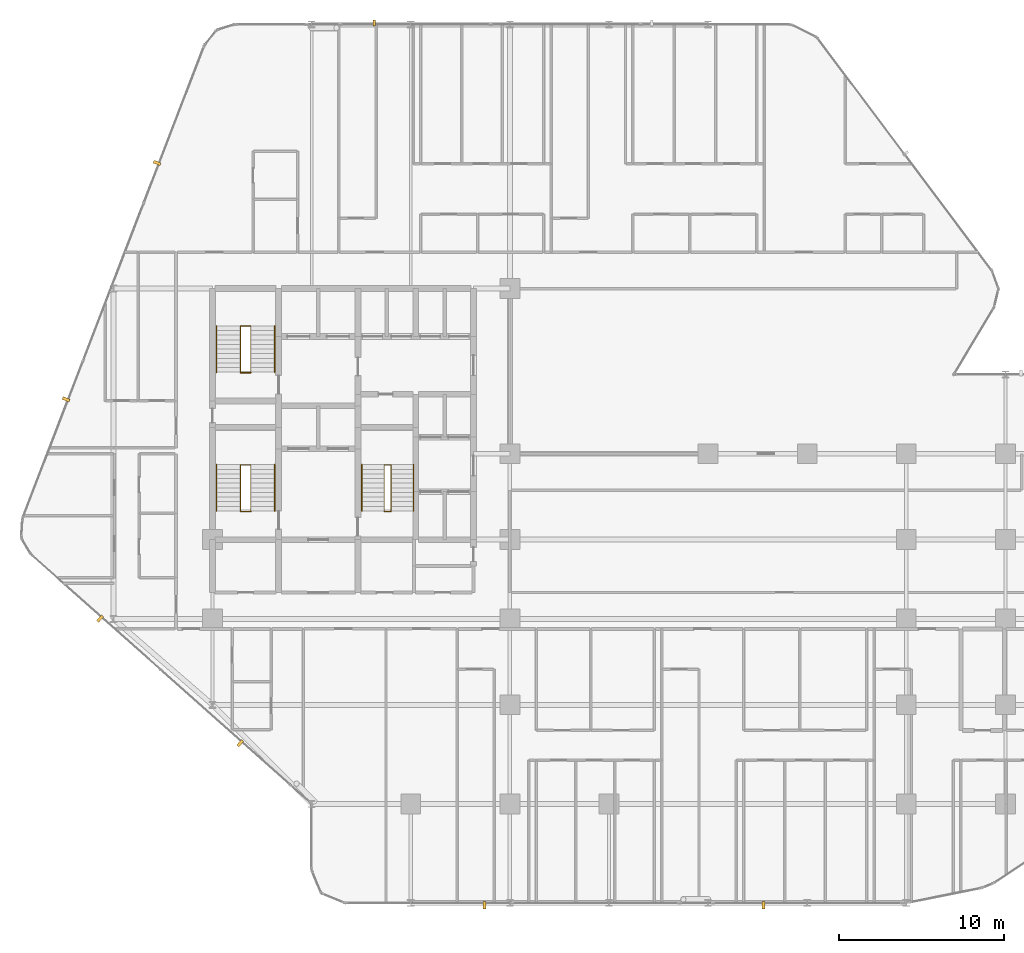
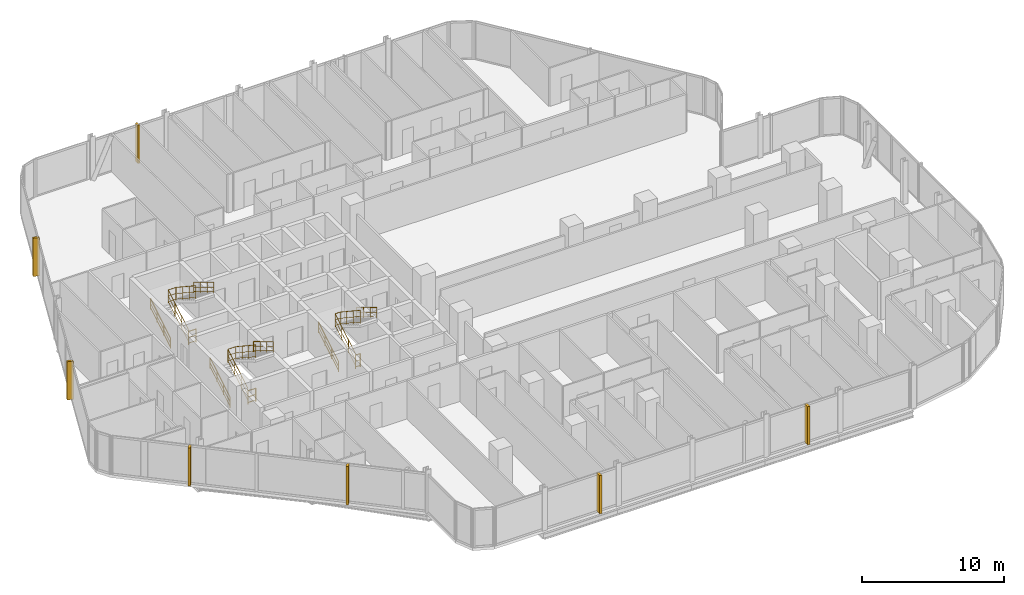
# One storey, part 33 of 34: 12 railings, 7 coverings.
"""IFC4 building model written with IfcOpenShell, lengths in metres."""

from ifc_helpers import new_model, si_unit, direction, frame, origin, origin_2d, place, context, subcontext, project, spatial, rectangle, circle, extrude, material, layer, layer_set, type_object, element, save


model = new_model("IFC4")

# Units and contexts
model_context = context("Model", 3, precision=1e-05, world=origin(), true_north=direction((0.0, 1.0)))
body_context = subcontext(model_context, "Body", "Model", "MODEL_VIEW")
ifc_project = project(units=[si_unit("LENGTHUNIT", "METRE"), si_unit("AREAUNIT", "SQUARE_METRE"), si_unit("VOLUMEUNIT", "CUBIC_METRE"), si_unit("PLANEANGLEUNIT", "RADIAN"), si_unit("MASSUNIT", "GRAM", prefix="KILO")], contexts=[model_context])

# Site, building, storey
site_placement = place(None, origin())
site = spatial("IfcSite", under=ifc_project, at=site_placement, CompositionType="ELEMENT")
building_placement = place(site_placement, origin())
building = spatial("IfcBuilding", under=site, at=building_placement, Name="Keshet Zoharim Tower", CompositionType="ELEMENT")
storey_placement = place(building_placement, frame((0.0, 0.0, 77.5)))
storey = spatial("IfcBuildingStorey", under=building, at=storey_placement, Name="L18", CompositionType="ELEMENT", Elevation=77.5)

# Coverings
ifc_material_1 = material(Name="Concrete C50/60 precast", Category="concrete")
covering_type_1 = type_object("IfcCoveringType", Name="FIN-SOL-360", PredefinedType="CLADDING", material=ifc_material_1)
covering_placement = place(storey_placement, frame((24.780029296875, 53.97998046875, 0.0), z_axis=(0.0, 0.0, 1.0), x_axis=(1.0, 0.0, 0.0)))
element("IfcCovering", 1, at=covering_placement, inside=storey, type_object=covering_type_1, Name="L18 Vertical Precast Solar Fin 05", PredefinedType="CLADDING", context=body_context, shape_type="SweptSolid", body=[
    extrude(rectangle(XDim=0.159912109375, YDim=0.360107421875, at=origin_2d()), origin(), (0.0, 0.0, 1.0), 3.280029296875),
])
covering_type_2 = type_object("IfcCoveringType", Name="FIN-SOL-450", PredefinedType="CLADDING", material=ifc_material_1)
for number, where, z_axis, x_axis, name in (
    (2, (16.676025390625, 10.376953125, 0.0), (0.0, 0.0, 1.0), (-0.747409318679, 0.664363838836, 0.0), "L18 Vertical Precast Solar Fin 01"),
    (3, (8.193115234375, 17.9169921875, 0.0), (0.0, 0.0, 1.0), (-0.747409318679, 0.664363838836, 0.0), "L18 Vertical Precast Solar Fin 02"),
    (4, (6.133056640625, 31.194091796875, 0.0), (0.0, 0.0, 1.0), (0.358990003907, 0.933341404361, 0.0), "L18 Vertical Precast Solar Fin 03"),
    (5, (11.637939453125, 45.507080078125, 0.0), (0.0, 0.0, 1.0), (0.358990003907, 0.933341404361, 0.0), "L18 Vertical Precast Solar Fin 04"),
    (6, (48.35205078125, 0.574951171875, 0.0), (0.0, 0.0, 1.0), (-1.0, 0.0, 0.0), "L18 Vertical Precast Solar Fin 10"),
    (7, (31.450927734375, 0.574951171875, 0.0), (0.0, 0.0, 1.0), (-1.0, 0.0, 0.0), "L18 Vertical Precast Solar Fin 11"),
):
    element("IfcCovering", number, at=place(storey_placement, frame(where, z_axis=z_axis, x_axis=x_axis)), inside=storey, type_object=covering_type_2, Name=name, PredefinedType="CLADDING", context=body_context, shape_type="SweptSolid", body=[
        extrude(rectangle(XDim=0.179931640625, YDim=0.449951171875, at=origin_2d()), origin(), (0.0, 0.0, 1.0), 3.280029296875),
    ])

# Railings
ifc_material_2 = material(Name="Steel S355", Category="steel")
ifc_layer_1 = layer(ifc_material_2, 0.050048828125)
ifc_layer_set_1 = layer_set([ifc_layer_1], Name="Steel S355")
railing_type_1 = type_object("IfcRailingType", Name="RL-HND-092", PredefinedType="HANDRAIL", material=ifc_layer_set_1)
railing_1_placement = place(storey_placement, frame((15.239990234375, 24.43994140625, 0.168212890625)))
element("IfcRailing", 8, at=railing_1_placement, inside=storey, type_object=railing_type_1, Name="L18 ST-01 Flight 1 Wall Handrail", PredefinedType="HANDRAIL", context=body_context, shape_type="SweptSolid", body=[
    extrude(circle(Radius=0.02392578125, at=origin_2d()), frame((0.0, 0.0, 0.89599609375), z_axis=(0.0, 0.857242210791, 0.514913383045), x_axis=(-1.0, 0.0, 0.0)), (0.0, 0.0, 1.0), 3.266357421875),
    extrude(circle(Radius=0.01611328125, at=origin_2d()), frame((0.0, 0.0, 0.478271484375), z_axis=(0.0, 0.857242210791, 0.514913383045), x_axis=(-1.0, 0.0, 0.0)), (0.0, 0.0, 1.0), 3.266357421875),
    extrude(circle(Radius=0.01611328125, at=origin_2d()), frame((0.0, 0.0, 0.1201171875), z_axis=(0.0, 0.857242210791, 0.514913383045), x_axis=(-1.0, 0.0, 0.0)), (0.0, 0.0, 1.0), 3.266357421875),
    extrude(circle(Radius=0.02099609375, at=origin_2d()), origin(), (0.0, 0.0, 1.0), 0.871826171875),
    extrude(circle(Radius=0.02099609375, at=origin_2d()), frame((0.0, 0.933349609375, 0.560546875)), (0.0, 0.0, 1.0), 0.871826171875),
    extrude(circle(Radius=0.02099609375, at=origin_2d()), frame((0.0, 1.86669921875, 1.121337890625)), (0.0, 0.0, 1.0), 0.871826171875),
    extrude(circle(Radius=0.02099609375, at=origin_2d()), frame((0.0, 2.800048828125, 1.681884765625)), (0.0, 0.0, 1.0), 0.871826171875),
])
railing_2_placement = place(storey_placement, frame((18.760009765625, 27.239990234375, 2.018310546875)))
element("IfcRailing", 9, at=railing_2_placement, inside=storey, type_object=railing_type_1, Name="L18 ST-01 Flight 2 Wall Handrail", PredefinedType="HANDRAIL", context=body_context, shape_type="SweptSolid", body=[
    extrude(circle(Radius=0.02392578125, at=origin_2d()), frame((0.0, 0.0, 0.89599609375), z_axis=(0.0, -0.857275202839, 0.514858452973), x_axis=(1.0, 0.0, 0.0)), (0.0, 0.0, 1.0), 3.26611328125),
    extrude(circle(Radius=0.01611328125, at=origin_2d()), frame((0.0, 0.0, 0.478271484375), z_axis=(0.0, -0.857275202839, 0.514858452973), x_axis=(1.0, 0.0, 0.0)), (0.0, 0.0, 1.0), 3.26611328125),
    extrude(circle(Radius=0.01611328125, at=origin_2d()), frame((0.0, 0.0, 0.1201171875), z_axis=(0.0, -0.857275202839, 0.514858452973), x_axis=(1.0, 0.0, 0.0)), (0.0, 0.0, 1.0), 3.26611328125),
    extrude(circle(Radius=0.02099609375, at=origin_2d()), origin(), (0.0, 0.0, 1.0), 0.871826171875),
    extrude(circle(Radius=0.02099609375, at=origin_2d()), frame((0.0, -0.933349609375, 0.560546875)), (0.0, 0.0, 1.0), 0.871826171875),
    extrude(circle(Radius=0.02099609375, at=origin_2d()), frame((0.0, -1.86669921875, 1.12109375)), (0.0, 0.0, 1.0), 0.871826171875),
    extrude(circle(Radius=0.02099609375, at=origin_2d()), frame((0.0, -2.800048828125, 1.681640625)), (0.0, 0.0, 1.0), 0.871826171875),
])
railing_3_placement = place(storey_placement, frame((15.239990234375, 32.840087890625, 0.168212890625)))
element("IfcRailing", 10, at=railing_3_placement, inside=storey, type_object=railing_type_1, Name="L18 ST-02 Flight 1 Wall Handrail", PredefinedType="HANDRAIL", context=body_context, shape_type="SweptSolid", body=[
    extrude(circle(Radius=0.02392578125, at=origin_2d()), frame((0.0, 0.0, 0.89599609375), z_axis=(0.0, 0.857222391501, 0.514946377315), x_axis=(-1.0, 0.0, 0.0)), (0.0, 0.0, 1.0), 3.26611328125),
    extrude(circle(Radius=0.01611328125, at=origin_2d()), frame((0.0, 0.0, 0.478271484375), z_axis=(0.0, 0.857222391501, 0.514946377315), x_axis=(-1.0, 0.0, 0.0)), (0.0, 0.0, 1.0), 3.26611328125),
    extrude(circle(Radius=0.01611328125, at=origin_2d()), frame((0.0, 0.0, 0.1201171875), z_axis=(0.0, 0.857222391501, 0.514946377315), x_axis=(-1.0, 0.0, 0.0)), (0.0, 0.0, 1.0), 3.26611328125),
    extrude(circle(Radius=0.02099609375, at=origin_2d()), origin(), (0.0, 0.0, 1.0), 0.871826171875),
    extrude(circle(Radius=0.02099609375, at=origin_2d()), frame((0.0, 0.933349609375, 0.560546875)), (0.0, 0.0, 1.0), 0.871826171875),
    extrude(circle(Radius=0.02099609375, at=origin_2d()), frame((0.0, 1.866455078125, 1.121337890625)), (0.0, 0.0, 1.0), 0.871826171875),
    extrude(circle(Radius=0.02099609375, at=origin_2d()), frame((0.0, 2.7998046875, 1.681884765625)), (0.0, 0.0, 1.0), 0.871826171875),
])
railing_4_placement = place(storey_placement, frame((18.760009765625, 35.639892578125, 2.018310546875)))
element("IfcRailing", 11, at=railing_4_placement, inside=storey, type_object=railing_type_1, Name="L18 ST-02 Flight 2 Wall Handrail", PredefinedType="HANDRAIL", context=body_context, shape_type="SweptSolid", body=[
    extrude(circle(Radius=0.02392578125, at=origin_2d()), frame((0.0, 0.0, 0.89599609375), z_axis=(0.0, -0.857255387014, 0.514891446264), x_axis=(1.0, 0.0, 0.0)), (0.0, 0.0, 1.0), 3.26611328125),
    extrude(circle(Radius=0.01611328125, at=origin_2d()), frame((0.0, 0.0, 0.478271484375), z_axis=(0.0, -0.857255387014, 0.514891446264), x_axis=(1.0, 0.0, 0.0)), (0.0, 0.0, 1.0), 3.26611328125),
    extrude(circle(Radius=0.01611328125, at=origin_2d()), frame((0.0, 0.0, 0.1201171875), z_axis=(0.0, -0.857255387014, 0.514891446264), x_axis=(1.0, 0.0, 0.0)), (0.0, 0.0, 1.0), 3.26611328125),
    extrude(circle(Radius=0.02099609375, at=origin_2d()), origin(), (0.0, 0.0, 1.0), 0.871826171875),
    extrude(circle(Radius=0.02099609375, at=origin_2d()), frame((0.0, -0.933349609375, 0.560546875)), (0.0, 0.0, 1.0), 0.871826171875),
    extrude(circle(Radius=0.02099609375, at=origin_2d()), frame((0.0, -1.866455078125, 1.12109375)), (0.0, 0.0, 1.0), 0.871826171875),
    extrude(circle(Radius=0.02099609375, at=origin_2d()), frame((0.0, -2.7998046875, 1.681640625)), (0.0, 0.0, 1.0), 0.871826171875),
])
railing_5_placement = place(storey_placement, frame((24.0400390625, 24.43994140625, 0.168212890625)))
element("IfcRailing", 12, at=railing_5_placement, inside=storey, type_object=railing_type_1, Name="L18 ST-03 Flight 1 Wall Handrail", PredefinedType="HANDRAIL", context=body_context, shape_type="SweptSolid", body=[
    extrude(circle(Radius=0.02392578125, at=origin_2d()), frame((0.0, 0.0, 0.89599609375), z_axis=(0.0, 0.857242210791, 0.514913383045), x_axis=(-1.0, 0.0, 0.0)), (0.0, 0.0, 1.0), 3.266357421875),
    extrude(circle(Radius=0.01611328125, at=origin_2d()), frame((0.0, 0.0, 0.478271484375), z_axis=(0.0, 0.857242210791, 0.514913383045), x_axis=(-1.0, 0.0, 0.0)), (0.0, 0.0, 1.0), 3.266357421875),
    extrude(circle(Radius=0.01611328125, at=origin_2d()), frame((0.0, 0.0, 0.1201171875), z_axis=(0.0, 0.857242210791, 0.514913383045), x_axis=(-1.0, 0.0, 0.0)), (0.0, 0.0, 1.0), 3.266357421875),
    extrude(circle(Radius=0.02099609375, at=origin_2d()), origin(), (0.0, 0.0, 1.0), 0.871826171875),
    extrude(circle(Radius=0.02099609375, at=origin_2d()), frame((0.0, 0.933349609375, 0.560546875)), (0.0, 0.0, 1.0), 0.871826171875),
    extrude(circle(Radius=0.02099609375, at=origin_2d()), frame((0.0, 1.86669921875, 1.121337890625)), (0.0, 0.0, 1.0), 0.871826171875),
    extrude(circle(Radius=0.02099609375, at=origin_2d()), frame((0.0, 2.800048828125, 1.681884765625)), (0.0, 0.0, 1.0), 0.871826171875),
])
railing_6_placement = place(storey_placement, frame((27.159912109375, 27.239990234375, 2.018310546875)))
element("IfcRailing", 13, at=railing_6_placement, inside=storey, type_object=railing_type_1, Name="L18 ST-03 Flight 2 Wall Handrail", PredefinedType="HANDRAIL", context=body_context, shape_type="SweptSolid", body=[
    extrude(circle(Radius=0.02392578125, at=origin_2d()), frame((0.0, 0.0, 0.89599609375), z_axis=(0.0, -0.857275202839, 0.514858452973), x_axis=(1.0, 0.0, 0.0)), (0.0, 0.0, 1.0), 3.26611328125),
    extrude(circle(Radius=0.01611328125, at=origin_2d()), frame((0.0, 0.0, 0.478271484375), z_axis=(0.0, -0.857275202839, 0.514858452973), x_axis=(1.0, 0.0, 0.0)), (0.0, 0.0, 1.0), 3.26611328125),
    extrude(circle(Radius=0.01611328125, at=origin_2d()), frame((0.0, 0.0, 0.1201171875), z_axis=(0.0, -0.857275202839, 0.514858452973), x_axis=(1.0, 0.0, 0.0)), (0.0, 0.0, 1.0), 3.26611328125),
    extrude(circle(Radius=0.02099609375, at=origin_2d()), origin(), (0.0, 0.0, 1.0), 0.871826171875),
    extrude(circle(Radius=0.02099609375, at=origin_2d()), frame((0.0, -0.933349609375, 0.560546875)), (0.0, 0.0, 1.0), 0.871826171875),
    extrude(circle(Radius=0.02099609375, at=origin_2d()), frame((0.0, -1.86669921875, 1.12109375)), (0.0, 0.0, 1.0), 0.871826171875),
    extrude(circle(Radius=0.02099609375, at=origin_2d()), frame((0.0, -2.800048828125, 1.681640625)), (0.0, 0.0, 1.0), 0.871826171875),
])
ifc_layer_2 = layer(ifc_material_2, 0.06005859375)
ifc_layer_set_2 = layer_set([ifc_layer_2], Name="Steel S355")
railing_type_2 = type_object("IfcRailingType", Name="RL-STG-115", PredefinedType="GUARDRAIL", material=ifc_layer_set_2)
railing_7_placement = place(storey_placement, frame((16.68994140625, 24.43994140625, 0.168212890625)))
element("IfcRailing", 14, at=railing_7_placement, inside=storey, type_object=railing_type_2, Name="L18 ST-01 Inner Well Guardrail", PredefinedType="GUARDRAIL", context=body_context, shape_type="SweptSolid", body=[
    extrude(circle(Radius=0.02392578125, at=origin_2d()), frame((0.0, 0.0, 1.1259765625), z_axis=(0.0, 0.857242210791, 0.514913383045), x_axis=(-1.0, 0.0, 0.0)), (0.0, 0.0, 1.0), 3.266357421875),
    extrude(circle(Radius=0.01611328125, at=origin_2d()), frame((0.0, 0.0, 0.597900390625), z_axis=(0.0, 0.857242210791, 0.514913383045), x_axis=(-1.0, 0.0, 0.0)), (0.0, 0.0, 1.0), 3.266357421875),
    extrude(circle(Radius=0.01611328125, at=origin_2d()), frame((0.0, 0.0, 0.1201171875), z_axis=(0.0, 0.857242210791, 0.514913383045), x_axis=(-1.0, 0.0, 0.0)), (0.0, 0.0, 1.0), 3.266357421875),
    extrude(circle(Radius=0.02392578125, at=origin_2d()), frame((0.0, 2.800048828125, 2.8076171875), z_axis=(1.0, 0.0, 0.0), x_axis=(0.0, 1.0, 0.0)), (0.0, 0.0, 1.0), 0.6201171875),
    extrude(circle(Radius=0.01611328125, at=origin_2d()), frame((0.0, 2.800048828125, 2.27978515625), z_axis=(1.0, 0.0, 0.0), x_axis=(0.0, 1.0, 0.0)), (0.0, 0.0, 1.0), 0.6201171875),
    extrude(circle(Radius=0.01611328125, at=origin_2d()), frame((0.0, 2.800048828125, 1.802001953125), z_axis=(1.0, 0.0, 0.0), x_axis=(0.0, 1.0, 0.0)), (0.0, 0.0, 1.0), 0.6201171875),
    extrude(circle(Radius=0.02392578125, at=origin_2d()), frame((0.6201171875, 2.800048828125, 2.8076171875), z_axis=(0.0, -0.83435981716, 0.551220187865), x_axis=(1.0, 0.0, 0.0)), (0.0, 0.0, 1.0), 3.35595703125),
    extrude(circle(Radius=0.01611328125, at=origin_2d()), frame((0.6201171875, 2.800048828125, 2.27978515625), z_axis=(0.0, -0.83435981716, 0.551220187865), x_axis=(1.0, 0.0, 0.0)), (0.0, 0.0, 1.0), 3.35595703125),
    extrude(circle(Radius=0.01611328125, at=origin_2d()), frame((0.6201171875, 2.800048828125, 1.802001953125), z_axis=(0.0, -0.83435981716, 0.551220187865), x_axis=(1.0, 0.0, 0.0)), (0.0, 0.0, 1.0), 3.35595703125),
    extrude(circle(Radius=0.02099609375, at=origin_2d()), origin(), (0.0, 0.0, 1.0), 1.101806640625),
    extrude(circle(Radius=0.02099609375, at=origin_2d()), frame((0.0, 0.933349609375, 0.560546875)), (0.0, 0.0, 1.0), 1.101806640625),
    extrude(circle(Radius=0.02099609375, at=origin_2d()), frame((0.0, 1.86669921875, 1.121337890625)), (0.0, 0.0, 1.0), 1.101806640625),
    extrude(circle(Radius=0.02099609375, at=origin_2d()), frame((0.0, 2.800048828125, 1.681884765625)), (0.0, 0.0, 1.0), 1.101806640625),
    extrude(circle(Radius=0.02099609375, at=origin_2d()), frame((0.6201171875, 2.800048828125, 1.681884765625)), (0.0, 0.0, 1.0), 1.101806640625),
    extrude(circle(Radius=0.02099609375, at=origin_2d()), frame((0.6201171875, 1.86669921875, 2.298583984375)), (0.0, 0.0, 1.0), 1.101806640625),
    extrude(circle(Radius=0.02099609375, at=origin_2d()), frame((0.6201171875, 0.933349609375, 2.9150390625)), (0.0, 0.0, 1.0), 1.101806640625),
    extrude(circle(Radius=0.02099609375, at=origin_2d()), frame((0.6201171875, 0.0, 3.53173828125)), (0.0, 0.0, 1.0), 1.101806640625),
])
railing_8_placement = place(storey_placement, frame((16.68994140625, 24.409912109375, 0.0)))
element("IfcRailing", 15, at=railing_8_placement, inside=storey, type_object=railing_type_2, Name="L18 ST-01 Stairwell Floor Guardrail", PredefinedType="GUARDRAIL", context=body_context, shape_type="SweptSolid", body=[
    extrude(circle(Radius=0.02392578125, at=origin_2d()), frame((0.0, 0.0, 1.1259765625), z_axis=(1.0, 0.0, 0.0), x_axis=(0.0, 1.0, 0.0)), (0.0, 0.0, 1.0), 0.6201171875),
    extrude(circle(Radius=0.01611328125, at=origin_2d()), frame((0.0, 0.0, 0.597900390625), z_axis=(1.0, 0.0, 0.0), x_axis=(0.0, 1.0, 0.0)), (0.0, 0.0, 1.0), 0.6201171875),
    extrude(circle(Radius=0.01611328125, at=origin_2d()), frame((0.0, 0.0, 0.1201171875), z_axis=(1.0, 0.0, 0.0), x_axis=(0.0, 1.0, 0.0)), (0.0, 0.0, 1.0), 0.6201171875),
    extrude(circle(Radius=0.02099609375, at=origin_2d()), origin(), (0.0, 0.0, 1.0), 1.101806640625),
    extrude(circle(Radius=0.02099609375, at=origin_2d()), frame((0.6201171875, 0.0, 0.0)), (0.0, 0.0, 1.0), 1.101806640625),
])
railing_9_placement = place(storey_placement, frame((16.68994140625, 32.840087890625, 0.168212890625)))
element("IfcRailing", 16, at=railing_9_placement, inside=storey, type_object=railing_type_2, Name="L18 ST-02 Inner Well Guardrail", PredefinedType="GUARDRAIL", context=body_context, shape_type="SweptSolid", body=[
    extrude(circle(Radius=0.02392578125, at=origin_2d()), frame((0.0, 0.0, 1.1259765625), z_axis=(0.0, 0.857222391501, 0.514946377315), x_axis=(-1.0, 0.0, 0.0)), (0.0, 0.0, 1.0), 3.26611328125),
    extrude(circle(Radius=0.01611328125, at=origin_2d()), frame((0.0, 0.0, 0.597900390625), z_axis=(0.0, 0.857222391501, 0.514946377315), x_axis=(-1.0, 0.0, 0.0)), (0.0, 0.0, 1.0), 3.26611328125),
    extrude(circle(Radius=0.01611328125, at=origin_2d()), frame((0.0, 0.0, 0.1201171875), z_axis=(0.0, 0.857222391501, 0.514946377315), x_axis=(-1.0, 0.0, 0.0)), (0.0, 0.0, 1.0), 3.26611328125),
    extrude(circle(Radius=0.02392578125, at=origin_2d()), frame((0.0, 2.7998046875, 2.8076171875), z_axis=(1.0, 0.0, 0.0), x_axis=(0.0, 1.0, 0.0)), (0.0, 0.0, 1.0), 0.6201171875),
    extrude(circle(Radius=0.01611328125, at=origin_2d()), frame((0.0, 2.7998046875, 2.27978515625), z_axis=(1.0, 0.0, 0.0), x_axis=(0.0, 1.0, 0.0)), (0.0, 0.0, 1.0), 0.6201171875),
    extrude(circle(Radius=0.01611328125, at=origin_2d()), frame((0.0, 2.7998046875, 1.802001953125), z_axis=(1.0, 0.0, 0.0), x_axis=(0.0, 1.0, 0.0)), (0.0, 0.0, 1.0), 0.6201171875),
    extrude(circle(Radius=0.02392578125, at=origin_2d()), frame((0.6201171875, 2.7998046875, 2.8076171875), z_axis=(0.0, -0.834337710781, 0.551253647941), x_axis=(1.0, 0.0, 0.0)), (0.0, 0.0, 1.0), 3.355712890625),
    extrude(circle(Radius=0.01611328125, at=origin_2d()), frame((0.6201171875, 2.7998046875, 2.27978515625), z_axis=(0.0, -0.834337710781, 0.551253647941), x_axis=(1.0, 0.0, 0.0)), (0.0, 0.0, 1.0), 3.355712890625),
    extrude(circle(Radius=0.01611328125, at=origin_2d()), frame((0.6201171875, 2.7998046875, 1.802001953125), z_axis=(0.0, -0.834337710781, 0.551253647941), x_axis=(1.0, 0.0, 0.0)), (0.0, 0.0, 1.0), 3.355712890625),
    extrude(circle(Radius=0.02099609375, at=origin_2d()), origin(), (0.0, 0.0, 1.0), 1.101806640625),
    extrude(circle(Radius=0.02099609375, at=origin_2d()), frame((0.0, 0.933349609375, 0.560546875)), (0.0, 0.0, 1.0), 1.101806640625),
    extrude(circle(Radius=0.02099609375, at=origin_2d()), frame((0.0, 1.866455078125, 1.121337890625)), (0.0, 0.0, 1.0), 1.101806640625),
    extrude(circle(Radius=0.02099609375, at=origin_2d()), frame((0.0, 2.7998046875, 1.681884765625)), (0.0, 0.0, 1.0), 1.101806640625),
    extrude(circle(Radius=0.02099609375, at=origin_2d()), frame((0.6201171875, 2.7998046875, 1.681884765625)), (0.0, 0.0, 1.0), 1.101806640625),
    extrude(circle(Radius=0.02099609375, at=origin_2d()), frame((0.6201171875, 1.866455078125, 2.298583984375)), (0.0, 0.0, 1.0), 1.101806640625),
    extrude(circle(Radius=0.02099609375, at=origin_2d()), frame((0.6201171875, 0.933349609375, 2.9150390625)), (0.0, 0.0, 1.0), 1.101806640625),
    extrude(circle(Radius=0.02099609375, at=origin_2d()), frame((0.6201171875, 0.0, 3.53173828125)), (0.0, 0.0, 1.0), 1.101806640625),
])
railing_10_placement = place(storey_placement, frame((16.68994140625, 32.81005859375, 0.0)))
element("IfcRailing", 17, at=railing_10_placement, inside=storey, type_object=railing_type_2, Name="L18 ST-02 Stairwell Floor Guardrail", PredefinedType="GUARDRAIL", context=body_context, shape_type="SweptSolid", body=[
    extrude(circle(Radius=0.02392578125, at=origin_2d()), frame((0.0, 0.0, 1.1259765625), z_axis=(1.0, 0.0, 0.0), x_axis=(0.0, 1.0, 0.0)), (0.0, 0.0, 1.0), 0.6201171875),
    extrude(circle(Radius=0.01611328125, at=origin_2d()), frame((0.0, 0.0, 0.597900390625), z_axis=(1.0, 0.0, 0.0), x_axis=(0.0, 1.0, 0.0)), (0.0, 0.0, 1.0), 0.6201171875),
    extrude(circle(Radius=0.01611328125, at=origin_2d()), frame((0.0, 0.0, 0.1201171875), z_axis=(1.0, 0.0, 0.0), x_axis=(0.0, 1.0, 0.0)), (0.0, 0.0, 1.0), 0.6201171875),
    extrude(circle(Radius=0.02099609375, at=origin_2d()), origin(), (0.0, 0.0, 1.0), 1.101806640625),
    extrude(circle(Radius=0.02099609375, at=origin_2d()), frame((0.6201171875, 0.0, 0.0)), (0.0, 0.0, 1.0), 1.101806640625),
])
railing_11_placement = place(storey_placement, frame((25.39990234375, 24.43994140625, 0.168212890625)))
element("IfcRailing", 18, at=railing_11_placement, inside=storey, type_object=railing_type_2, Name="L18 ST-03 Inner Well Guardrail", PredefinedType="GUARDRAIL", context=body_context, shape_type="SweptSolid", body=[
    extrude(circle(Radius=0.02392578125, at=origin_2d()), frame((0.0, 0.0, 1.1259765625), z_axis=(0.0, 0.857242210791, 0.514913383045), x_axis=(-1.0, 0.0, 0.0)), (0.0, 0.0, 1.0), 3.266357421875),
    extrude(circle(Radius=0.01611328125, at=origin_2d()), frame((0.0, 0.0, 0.597900390625), z_axis=(0.0, 0.857242210791, 0.514913383045), x_axis=(-1.0, 0.0, 0.0)), (0.0, 0.0, 1.0), 3.266357421875),
    extrude(circle(Radius=0.01611328125, at=origin_2d()), frame((0.0, 0.0, 0.1201171875), z_axis=(0.0, 0.857242210791, 0.514913383045), x_axis=(-1.0, 0.0, 0.0)), (0.0, 0.0, 1.0), 3.266357421875),
    extrude(circle(Radius=0.02392578125, at=origin_2d()), frame((0.0, 2.800048828125, 2.8076171875), z_axis=(1.0, 0.0, 0.0), x_axis=(0.0, 1.0, 0.0)), (0.0, 0.0, 1.0), 0.400146484375),
    extrude(circle(Radius=0.01611328125, at=origin_2d()), frame((0.0, 2.800048828125, 2.27978515625), z_axis=(1.0, 0.0, 0.0), x_axis=(0.0, 1.0, 0.0)), (0.0, 0.0, 1.0), 0.400146484375),
    extrude(circle(Radius=0.01611328125, at=origin_2d()), frame((0.0, 2.800048828125, 1.802001953125), z_axis=(1.0, 0.0, 0.0), x_axis=(0.0, 1.0, 0.0)), (0.0, 0.0, 1.0), 0.400146484375),
    extrude(circle(Radius=0.02392578125, at=origin_2d()), frame((0.400146484375, 2.800048828125, 2.8076171875), z_axis=(0.0, -0.83435981716, 0.551220187865), x_axis=(1.0, 0.0, 0.0)), (0.0, 0.0, 1.0), 3.35595703125),
    extrude(circle(Radius=0.01611328125, at=origin_2d()), frame((0.400146484375, 2.800048828125, 2.27978515625), z_axis=(0.0, -0.83435981716, 0.551220187865), x_axis=(1.0, 0.0, 0.0)), (0.0, 0.0, 1.0), 3.35595703125),
    extrude(circle(Radius=0.01611328125, at=origin_2d()), frame((0.400146484375, 2.800048828125, 1.802001953125), z_axis=(0.0, -0.83435981716, 0.551220187865), x_axis=(1.0, 0.0, 0.0)), (0.0, 0.0, 1.0), 3.35595703125),
    extrude(circle(Radius=0.02099609375, at=origin_2d()), origin(), (0.0, 0.0, 1.0), 1.101806640625),
    extrude(circle(Radius=0.02099609375, at=origin_2d()), frame((0.0, 0.933349609375, 0.560546875)), (0.0, 0.0, 1.0), 1.101806640625),
    extrude(circle(Radius=0.02099609375, at=origin_2d()), frame((0.0, 1.86669921875, 1.121337890625)), (0.0, 0.0, 1.0), 1.101806640625),
    extrude(circle(Radius=0.02099609375, at=origin_2d()), frame((0.0, 2.800048828125, 1.681884765625)), (0.0, 0.0, 1.0), 1.101806640625),
    extrude(circle(Radius=0.02099609375, at=origin_2d()), frame((0.400146484375, 2.800048828125, 1.681884765625)), (0.0, 0.0, 1.0), 1.101806640625),
    extrude(circle(Radius=0.02099609375, at=origin_2d()), frame((0.400146484375, 1.86669921875, 2.298583984375)), (0.0, 0.0, 1.0), 1.101806640625),
    extrude(circle(Radius=0.02099609375, at=origin_2d()), frame((0.400146484375, 0.933349609375, 2.9150390625)), (0.0, 0.0, 1.0), 1.101806640625),
    extrude(circle(Radius=0.02099609375, at=origin_2d()), frame((0.400146484375, 0.0, 3.53173828125)), (0.0, 0.0, 1.0), 1.101806640625),
])
railing_12_placement = place(storey_placement, frame((25.39990234375, 24.409912109375, 0.0)))
element("IfcRailing", 19, at=railing_12_placement, inside=storey, type_object=railing_type_2, Name="L18 ST-03 Stairwell Floor Guardrail", PredefinedType="GUARDRAIL", context=body_context, shape_type="SweptSolid", body=[
    extrude(circle(Radius=0.02392578125, at=origin_2d()), frame((0.0, 0.0, 1.1259765625), z_axis=(1.0, 0.0, 0.0), x_axis=(0.0, 1.0, 0.0)), (0.0, 0.0, 1.0), 0.400146484375),
    extrude(circle(Radius=0.01611328125, at=origin_2d()), frame((0.0, 0.0, 0.597900390625), z_axis=(1.0, 0.0, 0.0), x_axis=(0.0, 1.0, 0.0)), (0.0, 0.0, 1.0), 0.400146484375),
    extrude(circle(Radius=0.01611328125, at=origin_2d()), frame((0.0, 0.0, 0.1201171875), z_axis=(1.0, 0.0, 0.0), x_axis=(0.0, 1.0, 0.0)), (0.0, 0.0, 1.0), 0.400146484375),
    extrude(circle(Radius=0.02099609375, at=origin_2d()), origin(), (0.0, 0.0, 1.0), 1.101806640625),
    extrude(circle(Radius=0.02099609375, at=origin_2d()), frame((0.400146484375, 0.0, 0.0)), (0.0, 0.0, 1.0), 1.101806640625),
])

save(model, "model.ifc")
